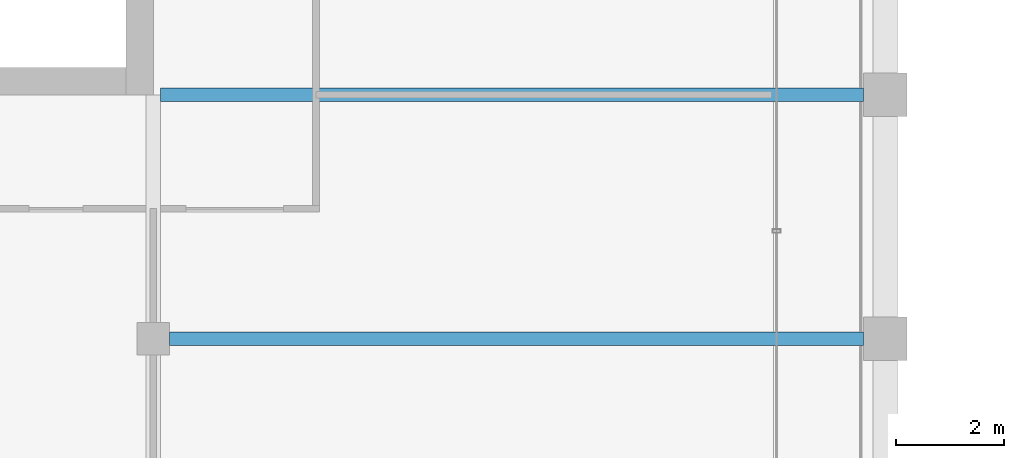
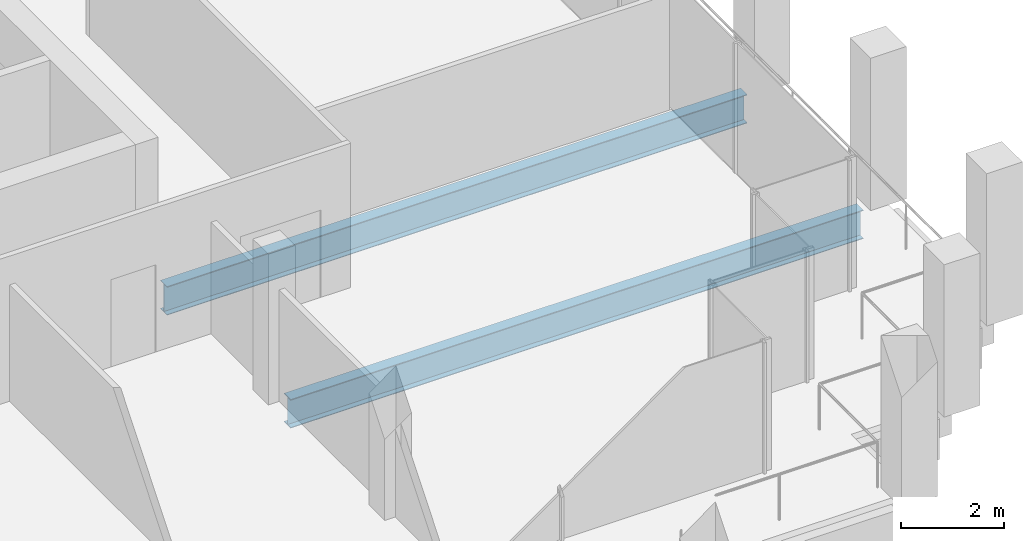
# One storey, part 14 of 40: 2 beams.
"""IFC4 building model written with IfcOpenShell, lengths in metres."""

from ifc_helpers import new_model, si_unit, direction, frame, origin, origin_2d, place, context, subcontext, project, spatial, i_section, extrude, material, material_profile, profile_set, type_object, element, save


model = new_model("IFC4")

# Units and contexts
model_context = context("Model", 3, precision=1e-05, world=origin(), true_north=direction((0.0, 1.0)))
body_context = subcontext(model_context, "Body", "Model", "MODEL_VIEW")
ifc_project = project(units=[si_unit("LENGTHUNIT", "METRE"), si_unit("AREAUNIT", "SQUARE_METRE"), si_unit("VOLUMEUNIT", "CUBIC_METRE"), si_unit("PLANEANGLEUNIT", "RADIAN"), si_unit("MASSUNIT", "GRAM", prefix="KILO")], contexts=[model_context])

# Site, building, storey
site_placement = place(None, origin())
site = spatial("IfcSite", under=ifc_project, at=site_placement, CompositionType="ELEMENT")
building_placement = place(site_placement, origin())
building = spatial("IfcBuilding", under=site, at=building_placement, Name="Altepetl Exchange Towers", CompositionType="ELEMENT")
storey_placement = place(building_placement, frame((0.0, 0.0, 202.800048828125)))
storey = spatial("IfcBuildingStorey", under=building, at=storey_placement, Name="L51", CompositionType="ELEMENT", Elevation=202.800048828125)

# Beams
ifc_material = material(Name="Steel S355", Category="steel")
ifc_material_profile = material_profile(ifc_material, i_section(OverallWidth=0.2529296875, OverallDepth=0.677978515625, WebThickness=0.01171875, FlangeThickness=0.016357421875, at=origin_2d()), Name="W27X84")
ifc_profile_set = profile_set([ifc_material_profile], Name="Steel S355")
beam_type = type_object("IfcBeamType", Name="Floor beam W27X84", PredefinedType="BEAM", material=ifc_profile_set)
beam_1_placement = place(storey_placement, frame((58.800048828125, 36.0, -0.489013671875), z_axis=(1.0, 0.0, 0.0), x_axis=(0.0, 1.0, 0.0)))
element("IfcBeam", 1, at=beam_1_placement, inside=storey, type_object=beam_type, Name="bm:A:L51:007", PredefinedType="BEAM", context=body_context, shape_type="SweptSolid", body=[
    extrude(i_section(OverallWidth=0.2529296875, OverallDepth=0.677978515625, WebThickness=0.01171875, FlangeThickness=0.016357421875, at=origin_2d()), origin(), (0.0, 0.0, 1.0), 12.800048828125),
])
beam_2_placement = place(storey_placement, frame((58.634033203125, 40.5, -0.489013671875), z_axis=(1.0, 0.0, 0.0), x_axis=(0.0, 1.0, 0.0)))
element("IfcBeam", 2, at=beam_2_placement, inside=storey, type_object=beam_type, Name="bm:A:L51:008", PredefinedType="BEAM", context=body_context, shape_type="SweptSolid", body=[
    extrude(i_section(OverallWidth=0.2529296875, OverallDepth=0.677978515625, WebThickness=0.01171875, FlangeThickness=0.016357421875, at=origin_2d()), origin(), (0.0, 0.0, 1.0), 12.966064453125),
])

save(model, "model.ifc")
